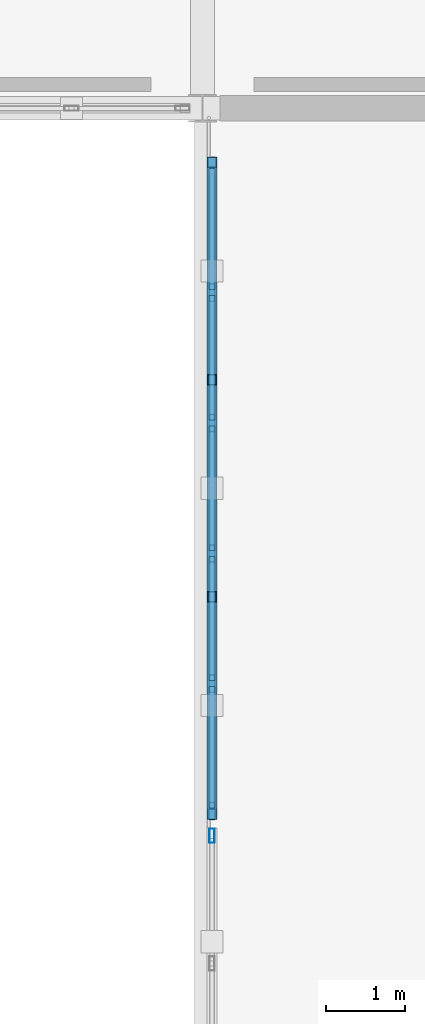
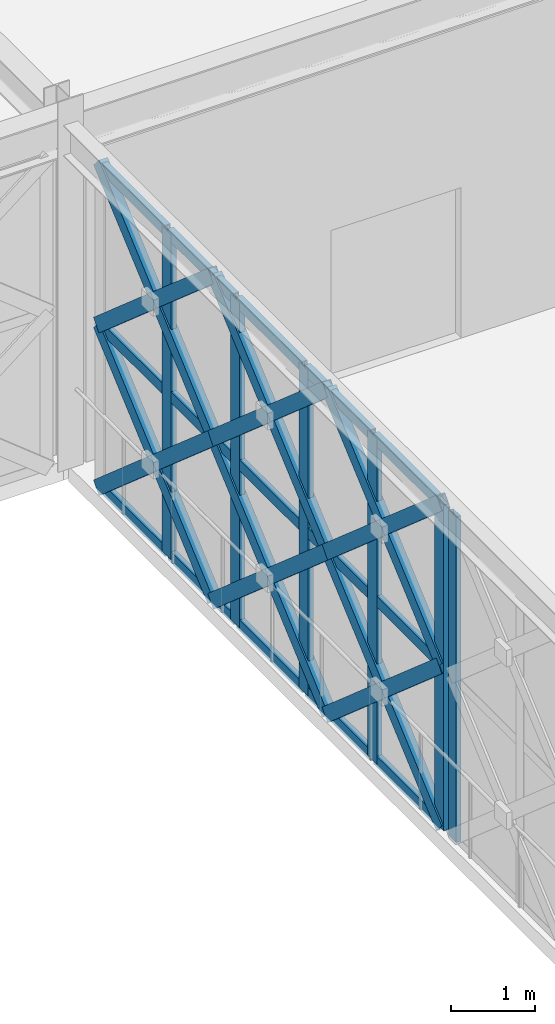
# One storey, part 107 of 166: 39 members, 2 elements without a shape of their own.
"""IFC4 building model written with IfcOpenShell, lengths in metres."""

from ifc_helpers import new_model, si_unit, direction, frame, origin, origin_2d, place, context, subcontext, project, spatial, hollow_rectangle, extrude, material, material_profile, profile_set, type_object, element, aggregate, save


model = new_model("IFC4")

# Units and contexts
model_context = context("Model", 3, precision=1e-05, world=origin(), true_north=direction((0.0, 1.0)))
body_context = subcontext(model_context, "Body", "Model", "MODEL_VIEW")
ifc_project = project(units=[si_unit("LENGTHUNIT", "METRE"), si_unit("AREAUNIT", "SQUARE_METRE"), si_unit("VOLUMEUNIT", "CUBIC_METRE"), si_unit("PLANEANGLEUNIT", "RADIAN"), si_unit("MASSUNIT", "GRAM", prefix="KILO")], contexts=[model_context])

# Site, building, storey
site_placement = place(None, origin())
site = spatial("IfcSite", under=ifc_project, at=site_placement, CompositionType="ELEMENT")
building_placement = place(site_placement, origin())
building = spatial("IfcBuilding", under=site, at=building_placement, Name="Haizhuo Lancet Aquarium", CompositionType="ELEMENT")
storey_placement = place(building_placement, frame((0.0, 0.0, 5.39990234375)))
storey = spatial("IfcBuildingStorey", under=building, at=storey_placement, Name="L01", CompositionType="ELEMENT", Elevation=5.39990234375)

# Curtain wall, member
ifc_material_1 = material(Name="Aluminium 6063-T6", Category="aluminium")
curtain_wall_type = type_object("IfcCurtainWallType", Name="CWO-8200x4750", PredefinedType="NOTDEFINED", material=ifc_material_1)
curtain_wall_1_placement = place(storey_placement, origin())
curtain_wall_1 = element("IfcCurtainWall", 1, at=curtain_wall_1_placement, inside=storey, type_object=curtain_wall_type, Name="L01 curtain wall CW-SB-02-W1", PredefinedType="NOTDEFINED")
ifc_material_profile_1 = material_profile(ifc_material_1, hollow_rectangle(XDim=0.06494140625, YDim=0.179931640625, WallThickness=0.00390625, at=origin_2d()), Name="ALU-M 65x180x4")
ifc_profile_set_1 = profile_set([ifc_material_profile_1], Name="Aluminium 6063-T6")
member_type_1 = type_object("IfcMemberType", Name="CW-MUL-1", PredefinedType="MULLION", material=ifc_profile_set_1)
member_1_placement = place(storey_placement, frame((54.1201171875, -0.152099609375, 0.0), z_axis=(0.0, 0.0, 1.0), x_axis=(-1.0, 0.0, 0.0)))
member_1 = element("IfcMember", 2, at=member_1_placement, type_object=member_type_1, Name="CWO-82x47 mullion 6", PredefinedType="MULLION", context=body_context, shape_type="SweptSolid", body=[
    extrude(hollow_rectangle(XDim=0.06494140625, YDim=0.179931640625, WallThickness=0.00390625, at=origin_2d()), origin(), (0.0, 0.0, 1.0), 4.75),
])
aggregate(curtain_wall_1, [member_1])

# Curtain wall, members
curtain_wall_2_placement = place(storey_placement, origin())
curtain_wall_2 = element("IfcCurtainWall", 3, at=curtain_wall_2_placement, inside=storey, type_object=curtain_wall_type, Name="L01 curtain wall CW-SB-02-W2", PredefinedType="NOTDEFINED")
ifc_material_profile_2 = material_profile(ifc_material_1, hollow_rectangle(XDim=0.074951171875, YDim=0.219970703125, WallThickness=0.0048828125, at=origin_2d()), Name="ALU-M 75x220x5")
ifc_profile_set_2 = profile_set([ifc_material_profile_2], Name="Aluminium 6063-T6")
member_type_2 = type_object("IfcMemberType", Name="CW-MUL-2", PredefinedType="MULLION", material=ifc_profile_set_2)
member_2_placement = place(storey_placement, frame((54.1201171875, 0.157958984375, 0.0), z_axis=(0.0, 0.0, 1.0), x_axis=(-1.0, 0.0, 0.0)))
member_2 = element("IfcMember", 4, at=member_2_placement, type_object=member_type_2, Name="CWO-82x47 mullion 1", PredefinedType="MULLION", context=body_context, shape_type="SweptSolid", body=[
    extrude(hollow_rectangle(XDim=0.074951171875, YDim=0.219970703125, WallThickness=0.0048828125, at=origin_2d()), origin(), (0.0, 0.0, 1.0), 4.75),
])
member_3_placement = place(storey_placement, frame((54.1201171875, 1.760009765625, 0.0), z_axis=(0.0, 0.0, 1.0), x_axis=(-1.0, 0.0, 0.0)))
member_3 = element("IfcMember", 5, at=member_3_placement, type_object=member_type_2, Name="CWO-82x47 mullion 2", PredefinedType="MULLION", context=body_context, shape_type="SweptSolid", body=[
    extrude(hollow_rectangle(XDim=0.074951171875, YDim=0.219970703125, WallThickness=0.0048828125, at=origin_2d()), origin(), (0.0, 0.0, 1.0), 4.75),
])
member_4_placement = place(storey_placement, frame((54.1201171875, 3.39990234375, 0.0), z_axis=(0.0, 0.0, 1.0), x_axis=(-1.0, 0.0, 0.0)))
member_4 = element("IfcMember", 6, at=member_4_placement, type_object=member_type_2, Name="CWO-82x47 mullion 3", PredefinedType="MULLION", context=body_context, shape_type="SweptSolid", body=[
    extrude(hollow_rectangle(XDim=0.074951171875, YDim=0.219970703125, WallThickness=0.0048828125, at=origin_2d()), origin(), (0.0, 0.0, 1.0), 4.75),
])
member_5_placement = place(storey_placement, frame((54.1201171875, 5.0400390625, 0.0), z_axis=(0.0, 0.0, 1.0), x_axis=(-1.0, 0.0, 0.0)))
member_5 = element("IfcMember", 7, at=member_5_placement, type_object=member_type_2, Name="CWO-82x47 mullion 4", PredefinedType="MULLION", context=body_context, shape_type="SweptSolid", body=[
    extrude(hollow_rectangle(XDim=0.074951171875, YDim=0.219970703125, WallThickness=0.0048828125, at=origin_2d()), origin(), (0.0, 0.0, 1.0), 4.75),
])
member_6_placement = place(storey_placement, frame((54.1201171875, 6.679931640625, 0.0), z_axis=(0.0, 0.0, 1.0), x_axis=(-1.0, 0.0, 0.0)))
member_6 = element("IfcMember", 8, at=member_6_placement, type_object=member_type_2, Name="CWO-82x47 mullion 5", PredefinedType="MULLION", context=body_context, shape_type="SweptSolid", body=[
    extrude(hollow_rectangle(XDim=0.074951171875, YDim=0.219970703125, WallThickness=0.0048828125, at=origin_2d()), origin(), (0.0, 0.0, 1.0), 4.75),
])
ifc_material_profile_3 = material_profile(ifc_material_1, hollow_rectangle(XDim=0.074951171875, YDim=0.159912109375, WallThickness=0.00390625, at=origin_2d()), Name="ALU-T 75x160x4")
ifc_profile_set_3 = profile_set([ifc_material_profile_3], Name="Aluminium 6063-T6")
member_type_3 = type_object("IfcMemberType", Name="CW-TRN-2", PredefinedType="NOTDEFINED", material=ifc_profile_set_3)
member_7_placement = place(storey_placement, frame((54.1201171875, 0.195068359375, 0.0380859375), z_axis=(0.0, 1.0, 0.0), x_axis=(-1.0, 0.0, 0.0)))
member_7 = element("IfcMember", 9, at=member_7_placement, type_object=member_type_3, Name="CWO-82x47 transom 1.1", ObjectType="TRANSOM", PredefinedType="USERDEFINED", context=body_context, shape_type="SweptSolid", body=[
    extrude(hollow_rectangle(XDim=0.074951171875, YDim=0.159912109375, WallThickness=0.00390625, at=origin_2d()), origin(), (0.0, 0.0, 1.0), 1.52783203125),
])
member_8_placement = place(storey_placement, frame((54.1201171875, 0.195068359375, 2.375), z_axis=(0.0, 1.0, 0.0), x_axis=(-1.0, 0.0, 0.0)))
member_8 = element("IfcMember", 10, at=member_8_placement, type_object=member_type_3, Name="CWO-82x47 transom 1.2", ObjectType="TRANSOM", PredefinedType="USERDEFINED", context=body_context, shape_type="SweptSolid", body=[
    extrude(hollow_rectangle(XDim=0.074951171875, YDim=0.159912109375, WallThickness=0.00390625, at=origin_2d()), origin(), (0.0, 0.0, 1.0), 1.52783203125),
])
member_9_placement = place(storey_placement, frame((54.1201171875, 0.195068359375, 4.713134765625), z_axis=(0.0, 1.0, 0.0), x_axis=(-1.0, 0.0, 0.0)))
member_9 = element("IfcMember", 11, at=member_9_placement, type_object=member_type_3, Name="CWO-82x47 transom 1.3", ObjectType="TRANSOM", PredefinedType="USERDEFINED", context=body_context, shape_type="SweptSolid", body=[
    extrude(hollow_rectangle(XDim=0.074951171875, YDim=0.159912109375, WallThickness=0.00390625, at=origin_2d()), origin(), (0.0, 0.0, 1.0), 1.52783203125),
])
member_10_placement = place(storey_placement, frame((54.1201171875, 1.798095703125, 0.0380859375), z_axis=(0.0, 1.0, 0.0), x_axis=(-1.0, 0.0, 0.0)))
member_10 = element("IfcMember", 12, at=member_10_placement, type_object=member_type_3, Name="CWO-82x47 transom 2.1", ObjectType="TRANSOM", PredefinedType="USERDEFINED", context=body_context, shape_type="SweptSolid", body=[
    extrude(hollow_rectangle(XDim=0.074951171875, YDim=0.159912109375, WallThickness=0.00390625, at=origin_2d()), origin(), (0.0, 0.0, 1.0), 1.56494140625),
])
member_11_placement = place(storey_placement, frame((54.1201171875, 1.798095703125, 2.375), z_axis=(0.0, 1.0, 0.0), x_axis=(-1.0, 0.0, 0.0)))
member_11 = element("IfcMember", 13, at=member_11_placement, type_object=member_type_3, Name="CWO-82x47 transom 2.2", ObjectType="TRANSOM", PredefinedType="USERDEFINED", context=body_context, shape_type="SweptSolid", body=[
    extrude(hollow_rectangle(XDim=0.074951171875, YDim=0.159912109375, WallThickness=0.00390625, at=origin_2d()), origin(), (0.0, 0.0, 1.0), 1.56494140625),
])
member_12_placement = place(storey_placement, frame((54.1201171875, 1.798095703125, 4.713134765625), z_axis=(0.0, 1.0, 0.0), x_axis=(-1.0, 0.0, 0.0)))
member_12 = element("IfcMember", 14, at=member_12_placement, type_object=member_type_3, Name="CWO-82x47 transom 2.3", ObjectType="TRANSOM", PredefinedType="USERDEFINED", context=body_context, shape_type="SweptSolid", body=[
    extrude(hollow_rectangle(XDim=0.074951171875, YDim=0.159912109375, WallThickness=0.00390625, at=origin_2d()), origin(), (0.0, 0.0, 1.0), 1.56494140625),
])
member_13_placement = place(storey_placement, frame((54.1201171875, 3.43798828125, 0.0380859375), z_axis=(0.0, 1.0, 0.0), x_axis=(-1.0, 0.0, 0.0)))
member_13 = element("IfcMember", 15, at=member_13_placement, type_object=member_type_3, Name="CWO-82x47 transom 3.1", ObjectType="TRANSOM", PredefinedType="USERDEFINED", context=body_context, shape_type="SweptSolid", body=[
    extrude(hollow_rectangle(XDim=0.074951171875, YDim=0.159912109375, WallThickness=0.00390625, at=origin_2d()), origin(), (0.0, 0.0, 1.0), 1.56494140625),
])
member_14_placement = place(storey_placement, frame((54.1201171875, 3.43798828125, 2.375), z_axis=(0.0, 1.0, 0.0), x_axis=(-1.0, 0.0, 0.0)))
member_14 = element("IfcMember", 16, at=member_14_placement, type_object=member_type_3, Name="CWO-82x47 transom 3.2", ObjectType="TRANSOM", PredefinedType="USERDEFINED", context=body_context, shape_type="SweptSolid", body=[
    extrude(hollow_rectangle(XDim=0.074951171875, YDim=0.159912109375, WallThickness=0.00390625, at=origin_2d()), origin(), (0.0, 0.0, 1.0), 1.56494140625),
])
member_15_placement = place(storey_placement, frame((54.1201171875, 3.43798828125, 4.713134765625), z_axis=(0.0, 1.0, 0.0), x_axis=(-1.0, 0.0, 0.0)))
member_15 = element("IfcMember", 17, at=member_15_placement, type_object=member_type_3, Name="CWO-82x47 transom 3.3", ObjectType="TRANSOM", PredefinedType="USERDEFINED", context=body_context, shape_type="SweptSolid", body=[
    extrude(hollow_rectangle(XDim=0.074951171875, YDim=0.159912109375, WallThickness=0.00390625, at=origin_2d()), origin(), (0.0, 0.0, 1.0), 1.56494140625),
])
member_16_placement = place(storey_placement, frame((54.1201171875, 5.076904296875, 0.0380859375), z_axis=(0.0, 1.0, 0.0), x_axis=(-1.0, 0.0, 0.0)))
member_16 = element("IfcMember", 18, at=member_16_placement, type_object=member_type_3, Name="CWO-82x47 transom 4.1", ObjectType="TRANSOM", PredefinedType="USERDEFINED", context=body_context, shape_type="SweptSolid", body=[
    extrude(hollow_rectangle(XDim=0.074951171875, YDim=0.159912109375, WallThickness=0.00390625, at=origin_2d()), origin(), (0.0, 0.0, 1.0), 1.566162109375),
])
member_17_placement = place(storey_placement, frame((54.1201171875, 5.076904296875, 2.375), z_axis=(0.0, 1.0, 0.0), x_axis=(-1.0, 0.0, 0.0)))
member_17 = element("IfcMember", 19, at=member_17_placement, type_object=member_type_3, Name="CWO-82x47 transom 4.2", ObjectType="TRANSOM", PredefinedType="USERDEFINED", context=body_context, shape_type="SweptSolid", body=[
    extrude(hollow_rectangle(XDim=0.074951171875, YDim=0.159912109375, WallThickness=0.00390625, at=origin_2d()), origin(), (0.0, 0.0, 1.0), 1.566162109375),
])
member_18_placement = place(storey_placement, frame((54.1201171875, 5.076904296875, 4.713134765625), z_axis=(0.0, 1.0, 0.0), x_axis=(-1.0, 0.0, 0.0)))
member_18 = element("IfcMember", 20, at=member_18_placement, type_object=member_type_3, Name="CWO-82x47 transom 4.3", ObjectType="TRANSOM", PredefinedType="USERDEFINED", context=body_context, shape_type="SweptSolid", body=[
    extrude(hollow_rectangle(XDim=0.074951171875, YDim=0.159912109375, WallThickness=0.00390625, at=origin_2d()), origin(), (0.0, 0.0, 1.0), 1.566162109375),
])
member_19_placement = place(storey_placement, frame((54.1201171875, 6.718017578125, 0.0380859375), z_axis=(0.0, 1.0, 0.0), x_axis=(-1.0, 0.0, 0.0)))
member_19 = element("IfcMember", 21, at=member_19_placement, type_object=member_type_3, Name="CWO-82x47 transom 5.1", ObjectType="TRANSOM", PredefinedType="USERDEFINED", context=body_context, shape_type="SweptSolid", body=[
    extrude(hollow_rectangle(XDim=0.074951171875, YDim=0.159912109375, WallThickness=0.00390625, at=origin_2d()), origin(), (0.0, 0.0, 1.0), 1.527099609375),
])
member_20_placement = place(storey_placement, frame((54.1201171875, 6.718017578125, 2.375), z_axis=(0.0, 1.0, 0.0), x_axis=(-1.0, 0.0, 0.0)))
member_20 = element("IfcMember", 22, at=member_20_placement, type_object=member_type_3, Name="CWO-82x47 transom 5.2", ObjectType="TRANSOM", PredefinedType="USERDEFINED", context=body_context, shape_type="SweptSolid", body=[
    extrude(hollow_rectangle(XDim=0.074951171875, YDim=0.159912109375, WallThickness=0.00390625, at=origin_2d()), origin(), (0.0, 0.0, 1.0), 1.527099609375),
])
member_21_placement = place(storey_placement, frame((54.1201171875, 6.718017578125, 4.713134765625), z_axis=(0.0, 1.0, 0.0), x_axis=(-1.0, 0.0, 0.0)))
member_21 = element("IfcMember", 23, at=member_21_placement, type_object=member_type_3, Name="CWO-82x47 transom 5.3", ObjectType="TRANSOM", PredefinedType="USERDEFINED", context=body_context, shape_type="SweptSolid", body=[
    extrude(hollow_rectangle(XDim=0.074951171875, YDim=0.159912109375, WallThickness=0.00390625, at=origin_2d()), origin(), (0.0, 0.0, 1.0), 1.527099609375),
])
aggregate(curtain_wall_2, [member_2, member_3, member_4, member_5, member_6, member_7, member_8, member_9, member_10, member_11, member_12, member_13, member_14, member_15, member_16, member_17, member_18, member_19, member_20, member_21])

# Members
ifc_material_2 = material(Name="Steel S355", Category="steel")
ifc_material_profile_4 = material_profile(ifc_material_2, hollow_rectangle(XDim=0.1201171875, YDim=0.199951171875, WallThickness=0.008056640625, at=origin_2d()), Name="RHS 120x200x8")
ifc_profile_set_4 = profile_set([ifc_material_profile_4], Name="Steel S355")
member_type_4 = type_object("IfcMemberType", Name="MEM-LB-RHS120x200", PredefinedType="BRACE", material=ifc_profile_set_4)
member_22_placement = place(storey_placement, frame((54.1201171875, 0.1201171875, 0.0), z_axis=(0.0, 0.754802912694, 0.655951646837), x_axis=(-1.0, 0.0, 0.0)))
element("IfcMember", 24, at=member_22_placement, inside=storey, type_object=member_type_4, Name="Gothic lancet continuous diagonal brace CW-SB-02-W2 1A", PredefinedType="BRACE", context=body_context, shape_type="SweptSolid", body=[
    extrude(hollow_rectangle(XDim=0.1201171875, YDim=0.199951171875, WallThickness=0.008056640625, at=origin_2d()), origin(), (0.0, 0.0, 1.0), 3.62060546875),
])
for number, where, z_axis, x_axis, name in (
    (25, (54.1201171875, 2.85302734375, 0.0), (0.0, -0.754553258905, 0.656238812839), (1.0, 0.0, 0.0), "Gothic lancet split diagonal brace CW-SB-02-W2 1B1"),
    (26, (54.1201171875, 1.487060546875, 1.18798828125), (0.0, -0.755052443892, 0.655664401179), (1.0, 0.0, 0.0), "Gothic lancet split diagonal brace CW-SB-02-W2 1B2"),
):
    element("IfcMember", number, at=place(storey_placement, frame(where, z_axis=z_axis, x_axis=x_axis)), inside=storey, type_object=member_type_4, Name=name, PredefinedType="BRACE", context=body_context, shape_type="SweptSolid", body=[
        extrude(hollow_rectangle(XDim=0.1201171875, YDim=0.199951171875, WallThickness=0.008056640625, at=origin_2d()), origin(), (0.0, 0.0, 1.0), 1.810302734375),
    ])
member_23_placement = place(storey_placement, frame((54.1201171875, 0.1201171875, 2.375), z_axis=(0.0, 0.754802912694, 0.655951646837), x_axis=(-1.0, 0.0, 0.0)))
element("IfcMember", 27, at=member_23_placement, inside=storey, type_object=member_type_4, Name="Gothic lancet continuous diagonal brace CW-SB-02-W2 2A", PredefinedType="BRACE", context=body_context, shape_type="SweptSolid", body=[
    extrude(hollow_rectangle(XDim=0.1201171875, YDim=0.199951171875, WallThickness=0.008056640625, at=origin_2d()), origin(), (0.0, 0.0, 1.0), 3.62060546875),
])
for number, where, z_axis, x_axis, name in (
    (28, (54.1201171875, 2.85302734375, 2.375), (0.0, -0.754553258905, 0.656238812839), (1.0, 0.0, 0.0), "Gothic lancet split diagonal brace CW-SB-02-W2 2B1"),
    (29, (54.1201171875, 1.487060546875, 3.56298828125), (0.0, -0.755052443892, 0.655664401179), (1.0, 0.0, 0.0), "Gothic lancet split diagonal brace CW-SB-02-W2 2B2"),
):
    element("IfcMember", number, at=place(storey_placement, frame(where, z_axis=z_axis, x_axis=x_axis)), inside=storey, type_object=member_type_4, Name=name, PredefinedType="BRACE", context=body_context, shape_type="SweptSolid", body=[
        extrude(hollow_rectangle(XDim=0.1201171875, YDim=0.199951171875, WallThickness=0.008056640625, at=origin_2d()), origin(), (0.0, 0.0, 1.0), 1.810302734375),
    ])
member_24_placement = place(storey_placement, frame((54.1201171875, 2.85302734375, 0.0), z_axis=(0.0, 0.754918929071, 0.655818123058), x_axis=(-1.0, 0.0, 0.0)))
element("IfcMember", 30, at=member_24_placement, inside=storey, type_object=member_type_4, Name="Gothic lancet continuous diagonal brace CW-SB-02-W2 3A", PredefinedType="BRACE", context=body_context, shape_type="SweptSolid", body=[
    extrude(hollow_rectangle(XDim=0.1201171875, YDim=0.199951171875, WallThickness=0.008056640625, at=origin_2d()), origin(), (0.0, 0.0, 1.0), 3.621337890625),
])
member_25_placement = place(storey_placement, frame((54.1201171875, 5.5869140625, 0.0), z_axis=(0.0, -0.754785430186, 0.655971763401), x_axis=(1.0, 0.0, 0.0)))
element("IfcMember", 31, at=member_25_placement, inside=storey, type_object=member_type_4, Name="Gothic lancet split diagonal brace CW-SB-02-W2 3B1", PredefinedType="BRACE", context=body_context, shape_type="SweptSolid", body=[
    extrude(hollow_rectangle(XDim=0.1201171875, YDim=0.199951171875, WallThickness=0.008056640625, at=origin_2d()), origin(), (0.0, 0.0, 1.0), 1.81103515625),
])
member_26_placement = place(storey_placement, frame((54.1201171875, 4.219970703125, 1.18798828125), z_axis=(0.0, -0.755052443892, 0.655664401179), x_axis=(1.0, 0.0, 0.0)))
element("IfcMember", 32, at=member_26_placement, inside=storey, type_object=member_type_4, Name="Gothic lancet split diagonal brace CW-SB-02-W2 3B2", PredefinedType="BRACE", context=body_context, shape_type="SweptSolid", body=[
    extrude(hollow_rectangle(XDim=0.1201171875, YDim=0.199951171875, WallThickness=0.008056640625, at=origin_2d()), origin(), (0.0, 0.0, 1.0), 1.810302734375),
])
member_27_placement = place(storey_placement, frame((54.1201171875, 2.85302734375, 2.375), z_axis=(0.0, 0.754918929071, 0.655818123058), x_axis=(-1.0, 0.0, 0.0)))
element("IfcMember", 33, at=member_27_placement, inside=storey, type_object=member_type_4, Name="Gothic lancet continuous diagonal brace CW-SB-02-W2 4A", PredefinedType="BRACE", context=body_context, shape_type="SweptSolid", body=[
    extrude(hollow_rectangle(XDim=0.1201171875, YDim=0.199951171875, WallThickness=0.008056640625, at=origin_2d()), origin(), (0.0, 0.0, 1.0), 3.621337890625),
])
member_28_placement = place(storey_placement, frame((54.1201171875, 5.5869140625, 2.375), z_axis=(0.0, -0.754785430186, 0.655971763401), x_axis=(1.0, 0.0, 0.0)))
element("IfcMember", 34, at=member_28_placement, inside=storey, type_object=member_type_4, Name="Gothic lancet split diagonal brace CW-SB-02-W2 4B1", PredefinedType="BRACE", context=body_context, shape_type="SweptSolid", body=[
    extrude(hollow_rectangle(XDim=0.1201171875, YDim=0.199951171875, WallThickness=0.008056640625, at=origin_2d()), origin(), (0.0, 0.0, 1.0), 1.81103515625),
])
member_29_placement = place(storey_placement, frame((54.1201171875, 4.219970703125, 3.56298828125), z_axis=(0.0, -0.755052443892, 0.655664401179), x_axis=(1.0, 0.0, 0.0)))
element("IfcMember", 35, at=member_29_placement, inside=storey, type_object=member_type_4, Name="Gothic lancet split diagonal brace CW-SB-02-W2 4B2", PredefinedType="BRACE", context=body_context, shape_type="SweptSolid", body=[
    extrude(hollow_rectangle(XDim=0.1201171875, YDim=0.199951171875, WallThickness=0.008056640625, at=origin_2d()), origin(), (0.0, 0.0, 1.0), 1.810302734375),
])
member_30_placement = place(storey_placement, frame((54.1201171875, 5.5869140625, 0.0), z_axis=(0.0, 0.754831923432, 0.655918262719), x_axis=(-1.0, 0.0, 0.0)))
element("IfcMember", 36, at=member_30_placement, inside=storey, type_object=member_type_4, Name="Gothic lancet continuous diagonal brace CW-SB-02-W2 5A", PredefinedType="BRACE", context=body_context, shape_type="SweptSolid", body=[
    extrude(hollow_rectangle(XDim=0.1201171875, YDim=0.199951171875, WallThickness=0.008056640625, at=origin_2d()), origin(), (0.0, 0.0, 1.0), 3.620849609375),
])
member_31_placement = place(storey_placement, frame((54.1201171875, 8.320068359375, 0.0), z_axis=(0.0, -0.754553258905, 0.656238812839), x_axis=(1.0, 0.0, 0.0)))
element("IfcMember", 37, at=member_31_placement, inside=storey, type_object=member_type_4, Name="Gothic lancet split diagonal brace CW-SB-02-W2 5B1", PredefinedType="BRACE", context=body_context, shape_type="SweptSolid", body=[
    extrude(hollow_rectangle(XDim=0.1201171875, YDim=0.199951171875, WallThickness=0.008056640625, at=origin_2d()), origin(), (0.0, 0.0, 1.0), 1.810302734375),
])
member_32_placement = place(storey_placement, frame((54.1201171875, 6.9541015625, 1.18798828125), z_axis=(0.0, -0.755110408583, 0.655597644024), x_axis=(1.0, 0.0, 0.0)))
element("IfcMember", 38, at=member_32_placement, inside=storey, type_object=member_type_4, Name="Gothic lancet split diagonal brace CW-SB-02-W2 5B2", PredefinedType="BRACE", context=body_context, shape_type="SweptSolid", body=[
    extrude(hollow_rectangle(XDim=0.1201171875, YDim=0.199951171875, WallThickness=0.008056640625, at=origin_2d()), origin(), (0.0, 0.0, 1.0), 1.810546875),
])
member_33_placement = place(storey_placement, frame((54.1201171875, 5.5869140625, 2.375), z_axis=(0.0, 0.754831923432, 0.655918262719), x_axis=(-1.0, 0.0, 0.0)))
element("IfcMember", 39, at=member_33_placement, inside=storey, type_object=member_type_4, Name="Gothic lancet continuous diagonal brace CW-SB-02-W2 6A", PredefinedType="BRACE", context=body_context, shape_type="SweptSolid", body=[
    extrude(hollow_rectangle(XDim=0.1201171875, YDim=0.199951171875, WallThickness=0.008056640625, at=origin_2d()), origin(), (0.0, 0.0, 1.0), 3.620849609375),
])
member_34_placement = place(storey_placement, frame((54.1201171875, 8.320068359375, 2.375), z_axis=(0.0, -0.754553258905, 0.656238812839), x_axis=(1.0, 0.0, 0.0)))
element("IfcMember", 40, at=member_34_placement, inside=storey, type_object=member_type_4, Name="Gothic lancet split diagonal brace CW-SB-02-W2 6B1", PredefinedType="BRACE", context=body_context, shape_type="SweptSolid", body=[
    extrude(hollow_rectangle(XDim=0.1201171875, YDim=0.199951171875, WallThickness=0.008056640625, at=origin_2d()), origin(), (0.0, 0.0, 1.0), 1.810302734375),
])
member_35_placement = place(storey_placement, frame((54.1201171875, 6.9541015625, 3.56298828125), z_axis=(0.0, -0.755110408583, 0.655597644024), x_axis=(1.0, 0.0, 0.0)))
element("IfcMember", 41, at=member_35_placement, inside=storey, type_object=member_type_4, Name="Gothic lancet split diagonal brace CW-SB-02-W2 6B2", PredefinedType="BRACE", context=body_context, shape_type="SweptSolid", body=[
    extrude(hollow_rectangle(XDim=0.1201171875, YDim=0.199951171875, WallThickness=0.008056640625, at=origin_2d()), origin(), (0.0, 0.0, 1.0), 1.810546875),
])

save(model, "model.ifc")
